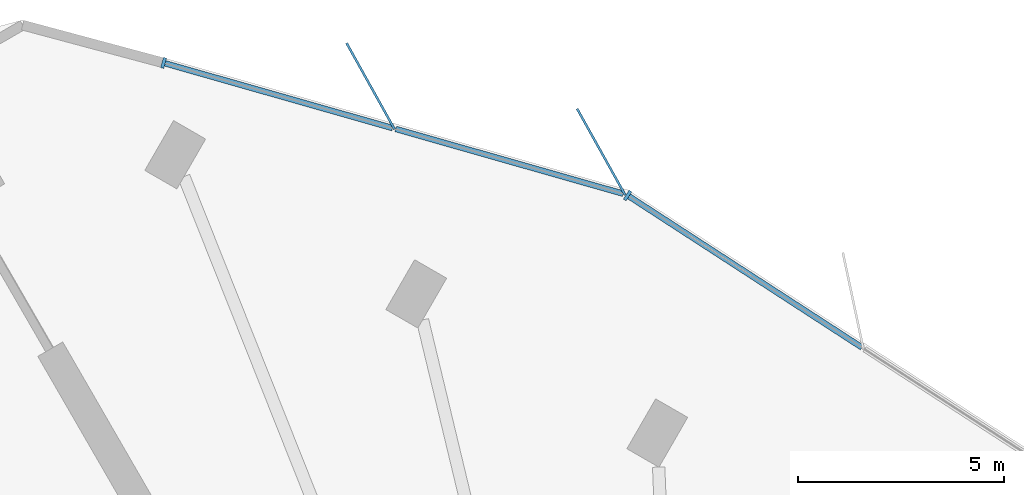
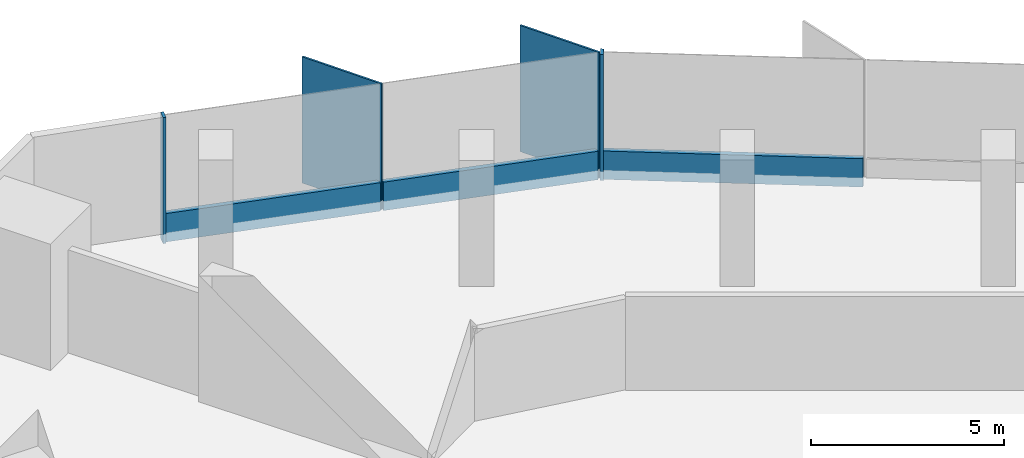
# One storey, part 6 of 14: 7 members, 2 elements without a shape of their own.
"""IFC4 building model written with IfcOpenShell, lengths in metres."""

from ifc_helpers import new_model, si_unit, direction, frame, origin, origin_2d, place, context, subcontext, project, spatial, rectangle, extrude, material, material_profile, profile_set, type_object, element, aggregate, save


model = new_model("IFC4")

# Units and contexts
model_context = context("Model", 3, precision=1e-05, world=origin(), true_north=direction((0.0, 1.0)))
body_context = subcontext(model_context, "Body", "Model", "MODEL_VIEW")
ifc_project = project(units=[si_unit("LENGTHUNIT", "METRE"), si_unit("AREAUNIT", "SQUARE_METRE"), si_unit("VOLUMEUNIT", "CUBIC_METRE"), si_unit("PLANEANGLEUNIT", "RADIAN"), si_unit("MASSUNIT", "GRAM", prefix="KILO")], contexts=[model_context])

# Site, building, storey
site_placement = place(None, origin())
site = spatial("IfcSite", under=ifc_project, at=site_placement, CompositionType="ELEMENT")
building_placement = place(site_placement, origin())
building = spatial("IfcBuilding", under=site, at=building_placement, Name="Tanit Gate Tower", CompositionType="ELEMENT")
storey_placement = place(building_placement, frame((0.0, 0.0, 257.199951171875)))
storey = spatial("IfcBuildingStorey", under=building, at=storey_placement, Name="L58", CompositionType="ELEMENT", Elevation=257.199951171875)

# Curtain wall, members
ifc_material_1 = material(Name="Aluminium bronze anodised and glass", Category="aluminium")
curtain_wall_type = type_object("IfcCurtainWallType", Name="Curtain wall typical mid", PredefinedType="NOTDEFINED", material=ifc_material_1)
curtain_wall_1_placement = place(storey_placement, origin())
curtain_wall_1 = element("IfcCurtainWall", 1, at=curtain_wall_1_placement, inside=storey, type_object=curtain_wall_type, Name="Curtain wall L58 NE3", PredefinedType="NOTDEFINED")
ifc_material_2 = material(Name="Aluminium bronze anodised", Category="aluminium")
ifc_material_profile_1 = material_profile(ifc_material_2, rectangle(XDim=2.39990234375, YDim=0.055908203125, at=origin_2d()), Name="56x2400 bronze fin mullion")
ifc_profile_set_1 = profile_set([ifc_material_profile_1], Name="Aluminium bronze anodised")
member_type_1 = type_object("IfcMemberType", Name="FIN MULLION 56x2400 bronze", PredefinedType="MULLION", material=ifc_profile_set_1)
member_1_placement = place(storey_placement, frame((-2.39111328125, 32.15283203125, -0.300048828125), z_axis=(0.0, 0.0, 1.0), x_axis=(0.486530745406, -0.873663455671, 0.0)))
member_1 = element("IfcMember", 2, at=member_1_placement, type_object=member_type_1, Name="Fin mullion L58 NE3.1", PredefinedType="MULLION", context=body_context, shape_type="SweptSolid", body=[
    extrude(rectangle(XDim=2.39990234375, YDim=0.055908203125, at=origin_2d()), origin(), (0.0, 0.0, 1.0), 4.0),
])
member_2_placement = place(storey_placement, frame((-7.999267578125, 33.7490234375, -0.300048828125), z_axis=(0.0, 0.0, 1.0), x_axis=(0.486530745406, -0.873663455671, 0.0)))
member_2 = element("IfcMember", 3, at=member_2_placement, type_object=member_type_1, Name="Fin mullion L58 NE3.2", PredefinedType="MULLION", context=body_context, shape_type="SweptSolid", body=[
    extrude(rectangle(XDim=2.39990234375, YDim=0.055908203125, at=origin_2d()), origin(), (0.0, 0.0, 1.0), 4.0),
])

# Curtain wall, member
curtain_wall_2_placement = place(storey_placement, origin())
curtain_wall_2 = element("IfcCurtainWall", 4, at=curtain_wall_2_placement, inside=storey, type_object=curtain_wall_type, Name="Curtain wall L58 NE2", PredefinedType="NOTDEFINED")
ifc_material_3 = material(Name="Aluminium bronze anodised", Category="aluminium")
ifc_material_profile_2 = material_profile(ifc_material_3, rectangle(XDim=0.260009765625, YDim=0.080078125, at=origin_2d()), Name="80x260 bronze mullion")
ifc_profile_set_2 = profile_set([ifc_material_profile_2], Name="Aluminium bronze anodised")
member_type_2 = type_object("IfcMemberType", Name="Mullion 80x260 typical mid", PredefinedType="MULLION", material=ifc_profile_set_2)
member_3_placement = place(storey_placement, frame((-1.74560546875, 31.090087890625, -0.300048828125), z_axis=(0.0, 0.0, 1.0), x_axis=(-0.544243323092, -0.838927413588, 0.0)))
member_3 = element("IfcMember", 5, at=member_3_placement, type_object=member_type_2, Name="Mullion L58 NE2.6", PredefinedType="MULLION", context=body_context, shape_type="SweptSolid", body=[
    extrude(rectangle(XDim=0.260009765625, YDim=0.080078125, at=origin_2d()), origin(), (0.0, 0.0, 1.0), 4.0),
])

# Member
member_4_placement = place(storey_placement, frame((-13.03369140625, 34.315185546875, -0.300048828125), z_axis=(0.0, 0.0, 1.0), x_axis=(-0.273744164647, -0.961802543312, 0.0)))
member_4 = element("IfcMember", 6, at=member_4_placement, type_object=member_type_2, Name="Mullion L58 NE3.3", PredefinedType="MULLION", context=body_context, shape_type="SweptSolid", body=[
    extrude(rectangle(XDim=0.260009765625, YDim=0.080078125, at=origin_2d()), origin(), (0.0, 0.0, 1.0), 4.0),
])

ifc_material_4 = material(Name="Aluminium bronze anodised", Category="aluminium")
ifc_material_profile_3 = material_profile(ifc_material_4, rectangle(XDim=0.139892578125, YDim=0.89990234375, at=origin_2d()), Name="140x900 bronze transom")
ifc_profile_set_3 = profile_set([ifc_material_profile_3], Name="Aluminium bronze anodised")
member_type_3 = type_object("IfcMemberType", Name="Transom 140x900 typical mid", PredefinedType="USERDEFINED", material=ifc_profile_set_3)
member_5_placement = place(storey_placement, frame((3.952880859375, 27.393310546875, 0.150146484375), z_axis=(-0.838921578545, 0.544252317452, 0.0), x_axis=(-0.544252317452, -0.838921578545, 0.0)))
member_5 = element("IfcMember", 7, at=member_5_placement, type_object=member_type_3, Name="Transom L58 NE2.5", ObjectType="TRANSOM", PredefinedType="USERDEFINED", context=body_context, shape_type="SweptSolid", body=[
    extrude(rectangle(XDim=0.139892578125, YDim=0.89990234375, at=origin_2d()), origin(), (0.0, 0.0, 1.0), 6.75244140625),
])

aggregate(curtain_wall_2, [member_3, member_5])

member_6_placement = place(storey_placement, frame((-1.85595703125, 31.1337890625, 0.150146484375), z_axis=(-0.961805390382, 0.273734161246, 0.0), x_axis=(-0.273734161246, -0.961805390382, 0.0)))
member_6 = element("IfcMember", 8, at=member_6_placement, type_object=member_type_3, Name="Transom L58 NE3.1", ObjectType="TRANSOM", PredefinedType="USERDEFINED", context=body_context, shape_type="SweptSolid", body=[
    extrude(rectangle(XDim=0.139892578125, YDim=0.89990234375, at=origin_2d()), origin(), (0.0, 0.0, 1.0), 5.7509765625),
])

member_7_placement = place(storey_placement, frame((-7.464111328125, 32.72998046875, 0.150146484375), z_axis=(-0.961805390382, 0.273734161246, 0.0), x_axis=(-0.273734161246, -0.961805390382, 0.0)))
member_7 = element("IfcMember", 9, at=member_7_placement, type_object=member_type_3, Name="Transom L58 NE3.2", ObjectType="TRANSOM", PredefinedType="USERDEFINED", context=body_context, shape_type="SweptSolid", body=[
    extrude(rectangle(XDim=0.139892578125, YDim=0.89990234375, at=origin_2d()), origin(), (0.0, 0.0, 1.0), 5.7509765625),
])

aggregate(curtain_wall_1, [member_1, member_2, member_4, member_6, member_7])

save(model, "model.ifc")
